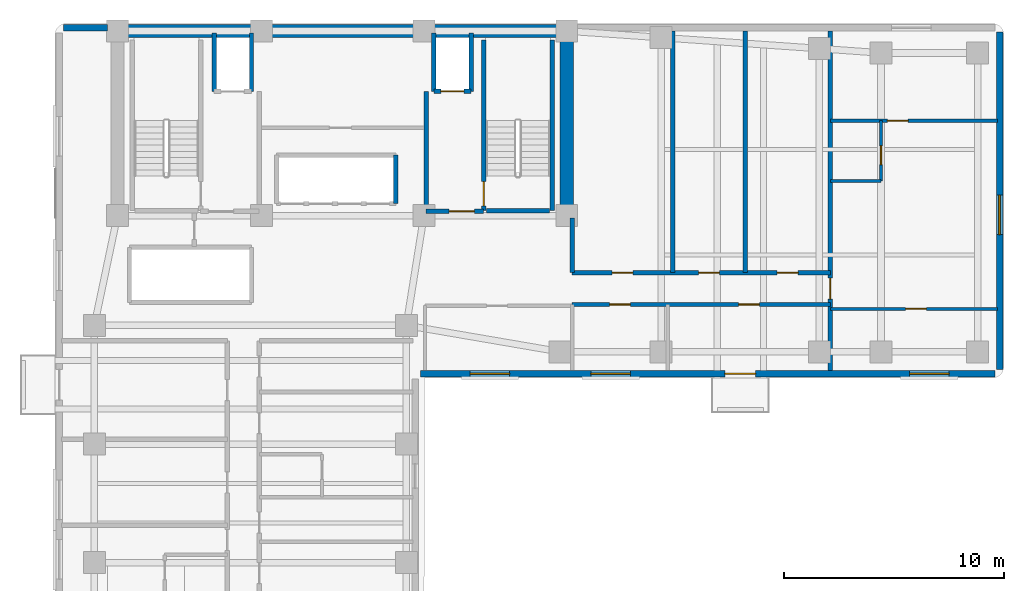
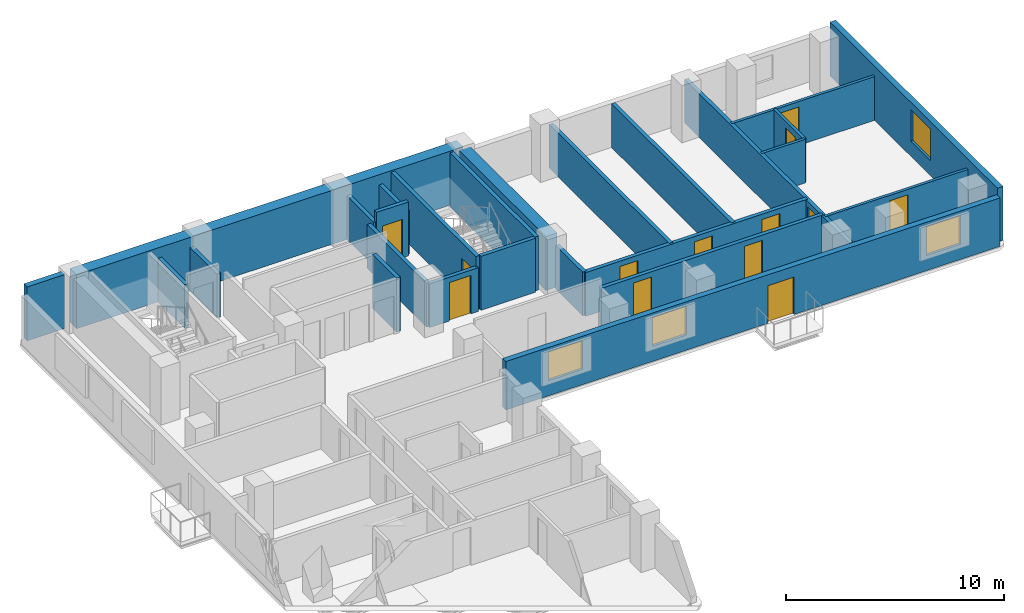
# One storey, part 4 of 7: 26 walls, 13 doors, 4 windows, 17 openings.
"""IFC4 building model written with IfcOpenShell, lengths in metres."""

from ifc_helpers import new_model, si_unit, direction, frame, frame_2d, origin, place, context, subcontext, project, spatial, rectangle, extrude, material, layer, layer_set, type_object, element, fill, save


model = new_model("IFC4")

# Units and contexts
model_context = context("Model", 3, precision=1e-05, world=origin(), true_north=direction((0.0, 1.0)))
body_context = subcontext(model_context, "Body", "Model", "MODEL_VIEW")
ifc_project = project(units=[si_unit("LENGTHUNIT", "METRE"), si_unit("AREAUNIT", "SQUARE_METRE"), si_unit("VOLUMEUNIT", "CUBIC_METRE"), si_unit("PLANEANGLEUNIT", "RADIAN"), si_unit("MASSUNIT", "GRAM", prefix="KILO")], contexts=[model_context])

# Site, building, storey
site_placement = place(None, origin())
site = spatial("IfcSite", under=ifc_project, at=site_placement, CompositionType="ELEMENT")
building_placement = place(site_placement, origin())
building = spatial("IfcBuilding", under=site, at=building_placement, Name="Kuzgunbayir Cultural Tower", CompositionType="ELEMENT")
storey_placement = place(building_placement, frame((0.0, 0.0, 145.800048828125)))
storey = spatial("IfcBuildingStorey", under=building, at=storey_placement, Name="L42", CompositionType="ELEMENT", Elevation=145.800048828125)

# Walls
ifc_material_1 = material(Name="Concrete C60/75", Category="concrete")
ifc_layer_1 = layer(ifc_material_1, 0.60009765625)
ifc_layer_set_1 = layer_set([ifc_layer_1], Name="Concrete C60/75")
wall_type_1 = type_object("IfcWallType", Name="WAL-CORE-600", PredefinedType="SHEAR", material=ifc_layer_set_1)
wall_1_placement = place(storey_placement, frame((6.449951171875, 42.199951171875, 0.0), z_axis=(0.0, 0.0, 1.0), x_axis=(1.0, 0.0, 0.0)))
element("IfcWall", 1, at=wall_1_placement, inside=storey, type_object=wall_type_1, Name="L42 T1 Core North Shear Wall", PredefinedType="SHEAR", context=body_context, shape_type="SweptSolid", body=[
    extrude(rectangle(XDim=20.449951171875, YDim=0.60009765625, at=frame_2d((10.22509765625, 0.0))), origin(), (0.0, 0.0, 1.0), 3.02001953125),
])
wall_2_placement = place(storey_placement, frame((26.89990234375, 33.800048828125, 0.0), z_axis=(0.0, 0.0, 1.0), x_axis=(0.0, 1.0, 0.0)))
element("IfcWall", 2, at=wall_2_placement, inside=storey, type_object=wall_type_1, Name="L42 T1 Core East Shear Wall", PredefinedType="SHEAR", context=body_context, shape_type="SweptSolid", body=[
    extrude(rectangle(XDim=7.949951171875, YDim=0.60009765625, at=frame_2d((3.97509765625, 0.0))), origin(), (0.0, 0.0, 1.0), 3.02001953125),
])
ifc_material_2 = material(Name="Anatolian Cream Limestone", Category="masonry")
ifc_layer_2 = layer(ifc_material_2, 0.300048828125)
ifc_layer_set_2 = layer_set([ifc_layer_2], Name="Anatolian Cream Limestone")
wall_type_2 = type_object("IfcWallType", Name="WAL-EXT-STONE-300", PredefinedType="STANDARD", material=ifc_layer_set_2)
wall_3_placement = place(storey_placement, frame((6.0, 42.35009765625, 0.0), z_axis=(0.0, 0.0, 1.0), x_axis=(-1.0, 0.0, 0.0)))
element("IfcWall", 3, at=wall_3_placement, inside=storey, type_object=wall_type_2, Name="L42 Core North-West Spandrel Link", PredefinedType="STANDARD", context=body_context, shape_type="SweptSolid", body=[
    extrude(rectangle(XDim=2.0, YDim=0.300048828125, at=frame_2d((1.0, 0.0))), origin(), (0.0, 0.0, 1.0), 3.02001953125),
])

# Wall, openings, door, windows
wall_4_placement = place(storey_placement, frame((20.25, 26.60009765625, 0.0), z_axis=(0.0, 0.0, 1.0), x_axis=(1.0, 0.0, 0.0)))
wall_4 = element("IfcWall", 4, at=wall_4_placement, inside=storey, type_object=wall_type_2, Name="L42 Wing B South Limestone Wall", PredefinedType="STANDARD", context=body_context, shape_type="SweptSolid", body=[
    extrude(rectangle(XDim=26.14990234375, YDim=0.300048828125, at=frame_2d((13.074951171875, 0.0))), origin(), (0.0, 0.0, 1.0), 2.7099609375),
])
opening_1_placement = place(wall_4_placement, frame((13.85009765625, 0.0, 0.0)))
opening_1 = element("IfcOpeningElement", 5, at=opening_1_placement, cuts=wall_4, Name="Opening BD-15", PredefinedType="OPENING", context=body_context, shape_type="SweptSolid", body=[
    extrude(rectangle(XDim=1.39990234375, YDim=2.10009765625, at=frame_2d((0.699951171875, 1.050048828125))), frame((0.0, 0.16015625, 0.0), z_axis=(0.0, -1.0, 0.0), x_axis=(1.0, 0.0, 0.0)), (0.0, 0.0, 1.0), 0.320068359375),
])
opening_2_placement = place(wall_4_placement, frame((2.25, 0.0, 0.85009765625)))
opening_2 = element("IfcOpeningElement", 6, at=opening_2_placement, cuts=wall_4, Name="Opening WH-18", PredefinedType="OPENING", context=body_context, shape_type="SweptSolid", body=[
    extrude(rectangle(XDim=1.800048828125, YDim=1.610107421875, at=frame_2d((0.89990234375, 0.80517578125))), frame((0.0, 0.16015625, 0.0), z_axis=(0.0, -1.0, 0.0), x_axis=(1.0, 0.0, 0.0)), (0.0, 0.0, 1.0), 0.320068359375),
])
opening_3_placement = place(wall_4_placement, frame((7.75, 0.0, 0.85009765625)))
opening_3 = element("IfcOpeningElement", 7, at=opening_3_placement, cuts=wall_4, Name="Opening WH-18", PredefinedType="OPENING", context=body_context, shape_type="SweptSolid", body=[
    extrude(rectangle(XDim=1.800048828125, YDim=1.610107421875, at=frame_2d((0.89990234375, 0.80517578125))), frame((0.0, 0.16015625, 0.0), z_axis=(0.0, -1.0, 0.0), x_axis=(1.0, 0.0, 0.0)), (0.0, 0.0, 1.0), 0.320068359375),
])
opening_4_placement = place(wall_4_placement, frame((22.25, 0.0, 0.85009765625)))
opening_4 = element("IfcOpeningElement", 8, at=opening_4_placement, cuts=wall_4, Name="Opening WH-18", PredefinedType="OPENING", context=body_context, shape_type="SweptSolid", body=[
    extrude(rectangle(XDim=1.800048828125, YDim=1.610107421875, at=frame_2d((0.89990234375, 0.80517578125))), frame((0.0, 0.16015625, 0.0), z_axis=(0.0, -1.0, 0.0), x_axis=(1.0, 0.0, 0.0)), (0.0, 0.0, 1.0), 0.320068359375),
])
ifc_material_3 = material(Name="Thermally Broken Glazed Aluminium", Category="aluminium")
door_type_1 = type_object("IfcDoorType", Name="DR-BALCONY-150", OperationType="SLIDING_TO_RIGHT", PredefinedType="DOOR", material=ifc_material_3)
door_1_placement = place(opening_1_placement, origin())
door_1 = element("IfcDoor", 9, at=door_1_placement, inside=storey, type_object=door_type_1, Name="L42 South Balcony Sliding Door BAL-L42-WB2", OperationType="SLIDING_TO_RIGHT", OverallHeight=2.10009765625, OverallWidth=1.39990234375, PredefinedType="DOOR", context=body_context, shape_type="SweptSolid", body=[
    extrude(rectangle(XDim=1.39990234375, YDim=2.10009765625, at=frame_2d((0.699951171875, 1.050048828125))), frame((0.0, 0.02490234375, 0.0), z_axis=(0.0, -1.0, 0.0), x_axis=(1.0, 0.0, 0.0)), (0.0, 0.0, 1.0), 0.050048828125),
])
fill(opening_1, door_1)
ifc_material_4 = material(Name="Solar-Control Triple Glazing", Category="glass")
window_type = type_object("IfcWindowType", Name="WIN-HOTEL-18", PartitioningType="SINGLE_PANEL", PredefinedType="WINDOW", material=ifc_material_4)
window_1_placement = place(opening_2_placement, origin())
window_1 = element("IfcWindow", 10, at=window_1_placement, inside=storey, type_object=window_type, Name="L42 WBS Facade Window 11", OverallHeight=1.610107421875, OverallWidth=1.800048828125, PartitioningType="SINGLE_PANEL", PredefinedType="WINDOW", context=body_context, shape_type="SweptSolid", body=[
    extrude(rectangle(XDim=1.800048828125, YDim=1.610107421875, at=frame_2d((0.89990234375, 0.80517578125))), frame((0.0, 0.030029296875, 0.0), z_axis=(0.0, -1.0, 0.0), x_axis=(1.0, 0.0, 0.0)), (0.0, 0.0, 1.0), 0.06005859375),
])
fill(opening_2, window_1)
window_2_placement = place(opening_3_placement, origin())
window_2 = element("IfcWindow", 11, at=window_2_placement, inside=storey, type_object=window_type, Name="L42 WBS Facade Window 12", OverallHeight=1.610107421875, OverallWidth=1.800048828125, PartitioningType="SINGLE_PANEL", PredefinedType="WINDOW", context=body_context, shape_type="SweptSolid", body=[
    extrude(rectangle(XDim=1.800048828125, YDim=1.610107421875, at=frame_2d((0.89990234375, 0.80517578125))), frame((0.0, 0.030029296875, 0.0), z_axis=(0.0, -1.0, 0.0), x_axis=(1.0, 0.0, 0.0)), (0.0, 0.0, 1.0), 0.06005859375),
])
fill(opening_3, window_2)
window_3_placement = place(opening_4_placement, origin())
window_3 = element("IfcWindow", 12, at=window_3_placement, inside=storey, type_object=window_type, Name="L42 WBS Facade Window 13", OverallHeight=1.610107421875, OverallWidth=1.800048828125, PartitioningType="SINGLE_PANEL", PredefinedType="WINDOW", context=body_context, shape_type="SweptSolid", body=[
    extrude(rectangle(XDim=1.800048828125, YDim=1.610107421875, at=frame_2d((0.89990234375, 0.80517578125))), frame((0.0, 0.030029296875, 0.0), z_axis=(0.0, -1.0, 0.0), x_axis=(1.0, 0.0, 0.0)), (0.0, 0.0, 1.0), 0.06005859375),
])
fill(opening_4, window_3)

# Wall, opening, window
wall_5_placement = place(storey_placement, frame((46.60009765625, 26.800048828125, 0.0), z_axis=(0.0, 0.0, 1.0), x_axis=(0.0, 1.0, 0.0)))
wall_5 = element("IfcWall", 13, at=wall_5_placement, inside=storey, type_object=wall_type_2, Name="L42 Wing B East Limestone Wall", PredefinedType="STANDARD", context=body_context, shape_type="SweptSolid", body=[
    extrude(rectangle(XDim=15.349853515625, YDim=0.300048828125, at=frame_2d((7.6748046875, 0.0))), origin(), (0.0, 0.0, 1.0), 3.02001953125),
])
opening_5_placement = place(wall_5_placement, frame((6.1298828125, 0.0, 0.85009765625)))
opening_5 = element("IfcOpeningElement", 14, at=opening_5_placement, cuts=wall_5, Name="Opening WH-18", PredefinedType="OPENING", context=body_context, shape_type="SweptSolid", body=[
    extrude(rectangle(XDim=1.800048828125, YDim=1.75, at=frame_2d((0.89990234375, 0.875))), frame((0.0, 0.16015625, 0.0), z_axis=(0.0, -1.0, 0.0), x_axis=(1.0, 0.0, 0.0)), (0.0, 0.0, 1.0), 0.320068359375),
])
window_4_placement = place(opening_5_placement, origin())
window_4 = element("IfcWindow", 15, at=window_4_placement, inside=storey, type_object=window_type, Name="L42 WBE Facade Window 4", OverallHeight=1.75, OverallWidth=1.800048828125, PartitioningType="SINGLE_PANEL", PredefinedType="WINDOW", context=body_context, shape_type="SweptSolid", body=[
    extrude(rectangle(XDim=1.800048828125, YDim=1.75, at=frame_2d((0.89990234375, 0.875))), frame((0.0, 0.030029296875, 0.0), z_axis=(0.0, -1.0, 0.0), x_axis=(1.0, 0.0, 0.0)), (0.0, 0.0, 1.0), 0.06005859375),
])
fill(opening_5, window_4)

# Wall, opening, door
ifc_material_5 = material(Name="Acoustic Double-Stud Drywall", Category="gypsum")
ifc_layer_3 = layer(ifc_material_5, 0.14990234375)
ifc_layer_set_3 = layer_set([ifc_layer_3], Name="Acoustic Double-Stud Drywall")
wall_type_3 = type_object("IfcWallType", Name="WAL-PART-ACOUSTIC-150", PredefinedType="PARTITIONING", material=ifc_layer_set_3)
wall_6_placement = place(storey_placement, frame((38.89990234375, 38.1201171875, 0.0), z_axis=(0.0, 0.0, 1.0), x_axis=(1.0, 0.0, 0.0)))
wall_6 = element("IfcWall", 16, at=wall_6_placement, inside=storey, type_object=wall_type_3, Name="L42 Corner Suite Bedroom Wall", PredefinedType="PARTITIONING", context=body_context, shape_type="SweptSolid", body=[
    extrude(rectangle(XDim=7.60009765625, YDim=0.14990234375, at=frame_2d((3.800048828125, 0.0))), origin(), (0.0, 0.0, 1.0), 2.449951171875),
])
opening_6_placement = place(wall_6_placement, frame((2.590087890625, 0.0, 0.0)))
opening_6 = element("IfcOpeningElement", 17, at=opening_6_placement, cuts=wall_6, Name="Opening DI-90", PredefinedType="OPENING", context=body_context, shape_type="SweptSolid", body=[
    extrude(rectangle(XDim=0.949951171875, YDim=2.14990234375, at=frame_2d((0.47509765625, 1.074951171875))), frame((0.0, 0.0849609375, 0.0), z_axis=(0.0, -1.0, 0.0), x_axis=(1.0, 0.0, 0.0)), (0.0, 0.0, 1.0), 0.169921875),
])
ifc_material_6 = material(Name="Veneered Oak Single Leaf", Category="wood")
door_type_2 = type_object("IfcDoorType", Name="DR-INT-90", OperationType="NOTDEFINED", PredefinedType="DOOR", material=ifc_material_6)
door_2_placement = place(opening_6_placement, origin())
door_2 = element("IfcDoor", 18, at=door_2_placement, inside=storey, type_object=door_type_2, Name="L42 Corner Bedroom Door", OperationType="SINGLE_SWING_RIGHT", OverallHeight=2.14990234375, OverallWidth=0.949951171875, PredefinedType="DOOR", context=body_context, shape_type="SweptSolid", body=[
    extrude(rectangle(XDim=0.949951171875, YDim=2.14990234375, at=frame_2d((0.47509765625, 1.074951171875))), frame((0.0, 0.02490234375, 0.0), z_axis=(0.0, -1.0, 0.0), x_axis=(1.0, 0.0, 0.0)), (0.0, 0.0, 1.0), 0.050048828125),
])
fill(opening_6, door_2)

# Wall
ifc_material_7 = material(Name="Aerated Concrete Blockwork", Category="masonry")
ifc_layer_4 = layer(ifc_material_7, 0.199951171875)
ifc_layer_set_4 = layer_set([ifc_layer_4], Name="Aerated Concrete Blockwork")
wall_type_4 = type_object("IfcWallType", Name="WAL-PART-FIRE-200", PredefinedType="PARTITIONING", material=ifc_layer_set_4)
wall_7_placement = place(storey_placement, frame((20.5, 34.0, 0.0), z_axis=(0.0, 0.0, 1.0), x_axis=(0.0, 1.0, 0.0)))
element("IfcWall", 19, at=wall_7_placement, inside=storey, type_object=wall_type_4, Name="L42 FFL-2 Lobby West Fire Wall", PredefinedType="PARTITIONING", context=body_context, shape_type="SweptSolid", body=[
    extrude(rectangle(XDim=5.449951171875, YDim=0.199951171875, at=frame_2d((2.72509765625, 0.0))), origin(), (0.0, 0.0, 1.0), 2.449951171875),
])

# Wall, opening, door
wall_8_placement = place(storey_placement, frame((20.5, 34.0, 0.0), z_axis=(0.0, 0.0, 1.0), x_axis=(1.0, 0.0, 0.0)))
wall_8 = element("IfcWall", 20, at=wall_8_placement, inside=storey, type_object=wall_type_4, Name="L42 FFL-2 Lobby South Fire Wall", PredefinedType="PARTITIONING", context=body_context, shape_type="SweptSolid", body=[
    extrude(rectangle(XDim=2.60009765625, YDim=0.199951171875, at=frame_2d((1.300048828125, 0.0))), origin(), (0.0, 0.0, 1.0), 2.449951171875),
])
opening_7_placement = place(wall_8_placement, frame((1.050048828125, 0.0, 0.0)))
opening_7 = element("IfcOpeningElement", 21, at=opening_7_placement, cuts=wall_8, Name="Opening DR-FFL-90", PredefinedType="OPENING", context=body_context, shape_type="SweptSolid", body=[
    extrude(rectangle(XDim=1.14990234375, YDim=2.14990234375, at=frame_2d((0.574951171875, 1.074951171875))), frame((0.0, 0.10986328125, 0.0), z_axis=(0.0, -1.0, 0.0), x_axis=(1.0, 0.0, 0.0)), (0.0, 0.0, 1.0), 0.219970703125),
])
ifc_material_8 = material(Name="Steel S355J2", Category="steel")
door_type_3 = type_object("IfcDoorType", Name="DR-FFL-90", OperationType="NOTDEFINED", PredefinedType="DOOR", material=ifc_material_8)
door_3_placement = place(opening_7_placement, origin())
door_3 = element("IfcDoor", 22, at=door_3_placement, inside=storey, type_object=door_type_3, Name="L42 Firefighting Lobby 2 Door", OperationType="SINGLE_SWING_RIGHT", OverallHeight=2.14990234375, OverallWidth=1.14990234375, PredefinedType="DOOR", context=body_context, shape_type="SweptSolid", body=[
    extrude(rectangle(XDim=1.14990234375, YDim=2.14990234375, at=frame_2d((0.574951171875, 1.074951171875))), frame((0.0, 0.02490234375, 0.0), z_axis=(0.0, -1.0, 0.0), x_axis=(1.0, 0.0, 0.0)), (0.0, 0.0, 1.0), 0.050048828125),
])
fill(opening_7, door_3)

# Wall, openings, doors
wall_9_placement = place(storey_placement, frame((27.14990234375, 29.75, 0.0), z_axis=(0.0, 0.0, 1.0), x_axis=(1.0, 0.0, 0.0)))
wall_9 = element("IfcWall", 23, at=wall_9_placement, inside=storey, type_object=wall_type_4, Name="L42 Wing B Hotel Corridor South Wall", PredefinedType="PARTITIONING", context=body_context, shape_type="SweptSolid", body=[
    extrude(rectangle(XDim=11.75, YDim=0.199951171875, at=frame_2d((5.875, 0.0))), origin(), (0.0, 0.0, 1.0), 2.449951171875),
])
opening_8_placement = place(wall_9_placement, frame((1.699951171875, 0.0, 0.0)))
opening_8 = element("IfcOpeningElement", 24, at=opening_8_placement, cuts=wall_9, Name="Opening DI-90", PredefinedType="OPENING", context=body_context, shape_type="SweptSolid", body=[
    extrude(rectangle(XDim=0.949951171875, YDim=2.14990234375, at=frame_2d((0.47509765625, 1.074951171875))), frame((0.0, 0.10986328125, 0.0), z_axis=(0.0, -1.0, 0.0), x_axis=(1.0, 0.0, 0.0)), (0.0, 0.0, 1.0), 0.219970703125),
])
opening_9_placement = place(wall_9_placement, frame((7.570068359375, 0.0, 0.0)))
opening_9 = element("IfcOpeningElement", 25, at=opening_9_placement, cuts=wall_9, Name="Opening DI-90", PredefinedType="OPENING", context=body_context, shape_type="SweptSolid", body=[
    extrude(rectangle(XDim=0.949951171875, YDim=2.14990234375, at=frame_2d((0.47509765625, 1.074951171875))), frame((0.0, 0.10986328125, 0.0), z_axis=(0.0, -1.0, 0.0), x_axis=(1.0, 0.0, 0.0)), (0.0, 0.0, 1.0), 0.219970703125),
])
door_4_placement = place(opening_8_placement, origin())
door_4 = element("IfcDoor", 26, at=door_4_placement, inside=storey, type_object=door_type_2, Name="L42 Curatorial Office B1 Door", OperationType="SINGLE_SWING_LEFT", OverallHeight=2.14990234375, OverallWidth=0.949951171875, PredefinedType="DOOR", context=body_context, shape_type="SweptSolid", body=[
    extrude(rectangle(XDim=0.949951171875, YDim=2.14990234375, at=frame_2d((0.47509765625, 1.074951171875))), frame((0.0, 0.02490234375, 0.0), z_axis=(0.0, -1.0, 0.0), x_axis=(1.0, 0.0, 0.0)), (0.0, 0.0, 1.0), 0.050048828125),
])
fill(opening_8, door_4)
door_5_placement = place(opening_9_placement, origin())
door_5 = element("IfcDoor", 27, at=door_5_placement, inside=storey, type_object=door_type_2, Name="L42 Curatorial Office B2 Door", OperationType="SINGLE_SWING_RIGHT", OverallHeight=2.14990234375, OverallWidth=0.949951171875, PredefinedType="DOOR", context=body_context, shape_type="SweptSolid", body=[
    extrude(rectangle(XDim=0.949951171875, YDim=2.14990234375, at=frame_2d((0.47509765625, 1.074951171875))), frame((0.0, 0.02490234375, 0.0), z_axis=(0.0, -1.0, 0.0), x_axis=(1.0, 0.0, 0.0)), (0.0, 0.0, 1.0), 0.050048828125),
])
fill(opening_9, door_5)

wall_10_placement = place(storey_placement, frame((27.14990234375, 31.199951171875, 0.0), z_axis=(0.0, 0.0, 1.0), x_axis=(1.0, 0.0, 0.0)))
wall_10 = element("IfcWall", 28, at=wall_10_placement, inside=storey, type_object=wall_type_4, Name="L42 Wing B Hotel Corridor North Wall", PredefinedType="PARTITIONING", context=body_context, shape_type="SweptSolid", body=[
    extrude(rectangle(XDim=11.75, YDim=0.199951171875, at=frame_2d((5.875, 0.0))), origin(), (0.0, 0.0, 1.0), 2.449951171875),
])
opening_10_placement = place(wall_10_placement, frame((1.81005859375, 0.0, 0.0)))
opening_10 = element("IfcOpeningElement", 29, at=opening_10_placement, cuts=wall_10, Name="Opening DI-90", PredefinedType="OPENING", context=body_context, shape_type="SweptSolid", body=[
    extrude(rectangle(XDim=0.949951171875, YDim=2.14990234375, at=frame_2d((0.47509765625, 1.074951171875))), frame((0.0, 0.10986328125, 0.0), z_axis=(0.0, -1.0, 0.0), x_axis=(1.0, 0.0, 0.0)), (0.0, 0.0, 1.0), 0.219970703125),
])
opening_11_placement = place(wall_10_placement, frame((5.75, 0.0, 0.0)))
opening_11 = element("IfcOpeningElement", 30, at=opening_11_placement, cuts=wall_10, Name="Opening DI-90", PredefinedType="OPENING", context=body_context, shape_type="SweptSolid", body=[
    extrude(rectangle(XDim=0.949951171875, YDim=2.14990234375, at=frame_2d((0.47509765625, 1.074951171875))), frame((0.0, 0.10986328125, 0.0), z_axis=(0.0, -1.0, 0.0), x_axis=(1.0, 0.0, 0.0)), (0.0, 0.0, 1.0), 0.219970703125),
])
opening_12_placement = place(wall_10_placement, frame((9.330078125, 0.0, 0.0)))
opening_12 = element("IfcOpeningElement", 31, at=opening_12_placement, cuts=wall_10, Name="Opening DI-90", PredefinedType="OPENING", context=body_context, shape_type="SweptSolid", body=[
    extrude(rectangle(XDim=0.949951171875, YDim=2.14990234375, at=frame_2d((0.47509765625, 1.074951171875))), frame((0.0, 0.10986328125, 0.0), z_axis=(0.0, -1.0, 0.0), x_axis=(1.0, 0.0, 0.0)), (0.0, 0.0, 1.0), 0.219970703125),
])
door_6_placement = place(opening_10_placement, origin())
door_6 = element("IfcDoor", 32, at=door_6_placement, inside=storey, type_object=door_type_2, Name="L42 North Curatorial Office 1 Door", OperationType="SINGLE_SWING_LEFT", OverallHeight=2.14990234375, OverallWidth=0.949951171875, PredefinedType="DOOR", context=body_context, shape_type="SweptSolid", body=[
    extrude(rectangle(XDim=0.949951171875, YDim=2.14990234375, at=frame_2d((0.47509765625, 1.074951171875))), frame((0.0, 0.02490234375, 0.0), z_axis=(0.0, -1.0, 0.0), x_axis=(1.0, 0.0, 0.0)), (0.0, 0.0, 1.0), 0.050048828125),
])
fill(opening_10, door_6)
door_7_placement = place(opening_11_placement, origin())
door_7 = element("IfcDoor", 33, at=door_7_placement, inside=storey, type_object=door_type_2, Name="L42 North Art Publication Salon 2 Door", OperationType="SINGLE_SWING_RIGHT", OverallHeight=2.14990234375, OverallWidth=0.949951171875, PredefinedType="DOOR", context=body_context, shape_type="SweptSolid", body=[
    extrude(rectangle(XDim=0.949951171875, YDim=2.14990234375, at=frame_2d((0.47509765625, 1.074951171875))), frame((0.0, 0.02490234375, 0.0), z_axis=(0.0, -1.0, 0.0), x_axis=(1.0, 0.0, 0.0)), (0.0, 0.0, 1.0), 0.050048828125),
])
fill(opening_11, door_7)
door_8_placement = place(opening_12_placement, origin())
door_8 = element("IfcDoor", 34, at=door_8_placement, inside=storey, type_object=door_type_2, Name="L42 North Culinary Tasting Pantry 3 Door", OperationType="SINGLE_SWING_LEFT", OverallHeight=2.14990234375, OverallWidth=0.949951171875, PredefinedType="DOOR", context=body_context, shape_type="SweptSolid", body=[
    extrude(rectangle(XDim=0.949951171875, YDim=2.14990234375, at=frame_2d((0.47509765625, 1.074951171875))), frame((0.0, 0.02490234375, 0.0), z_axis=(0.0, -1.0, 0.0), x_axis=(1.0, 0.0, 0.0)), (0.0, 0.0, 1.0), 0.050048828125),
])
fill(opening_12, door_8)

# Wall
wall_11_placement = place(storey_placement, frame((27.14990234375, 31.199951171875, 0.0), z_axis=(0.0, 0.0, 1.0), x_axis=(0.0, 1.0, 0.0)))
element("IfcWall", 35, at=wall_11_placement, inside=storey, type_object=wall_type_4, Name="L42 Wing B North Core Closure Wall", PredefinedType="PARTITIONING", context=body_context, shape_type="SweptSolid", body=[
    extrude(rectangle(XDim=2.47998046875, YDim=0.199951171875, at=frame_2d((1.239990234375, 0.0))), origin(), (0.0, 0.0, 1.0), 2.449951171875),
])

# Wall, opening, door
wall_12_placement = place(storey_placement, frame((38.89990234375, 26.75, 0.0), z_axis=(0.0, 0.0, 1.0), x_axis=(0.0, 1.0, 0.0)))
wall_12 = element("IfcWall", 36, at=wall_12_placement, inside=storey, type_object=wall_type_4, Name="L42 Wing B East Suite Wall", PredefinedType="PARTITIONING", context=body_context, shape_type="SweptSolid", body=[
    extrude(rectangle(XDim=15.449951171875, YDim=0.199951171875, at=frame_2d((7.72509765625, 0.0))), origin(), (0.0, 0.0, 1.0), 2.449951171875),
])
opening_13_placement = place(wall_12_placement, frame((3.25, 0.0, 0.0)))
opening_13 = element("IfcOpeningElement", 37, at=opening_13_placement, cuts=wall_12, Name="Opening DR-APT-60", PredefinedType="OPENING", context=body_context, shape_type="SweptSolid", body=[
    extrude(rectangle(XDim=0.949951171875, YDim=2.14990234375, at=frame_2d((0.47509765625, 1.074951171875))), frame((0.0, 0.10986328125, 0.0), z_axis=(0.0, -1.0, 0.0), x_axis=(1.0, 0.0, 0.0)), (0.0, 0.0, 1.0), 0.219970703125),
])
ifc_material_9 = material(Name="Acoustic Fire Timber Leaf", Category="wood")
door_type_4 = type_object("IfcDoorType", Name="DR-APT-60", OperationType="NOTDEFINED", PredefinedType="DOOR", material=ifc_material_9)
door_9_placement = place(opening_13_placement, origin())
door_9 = element("IfcDoor", 38, at=door_9_placement, inside=storey, type_object=door_type_4, Name="L42 Corner Suite Entrance", OperationType="SINGLE_SWING_LEFT", OverallHeight=2.14990234375, OverallWidth=0.949951171875, PredefinedType="DOOR", context=body_context, shape_type="SweptSolid", body=[
    extrude(rectangle(XDim=0.949951171875, YDim=2.14990234375, at=frame_2d((0.47509765625, 1.074951171875))), frame((0.0, 0.02490234375, 0.0), z_axis=(0.0, -1.0, 0.0), x_axis=(1.0, 0.0, 0.0)), (0.0, 0.0, 1.0), 0.050048828125),
])
fill(opening_13, door_9)

# Walls
for number, where, z_axis, x_axis, name in (
    (39, (31.72998046875, 31.199951171875, 0.0), (0.0, 0.0, 1.0), (0.0, 1.0, 0.0), "L42 Wing B North Party Wall 1"),
    (40, (35.02001953125, 31.199951171875, 0.0), (0.0, 0.0, 1.0), (0.0, 1.0, 0.0), "L42 Wing B North Party Wall 2"),
):
    element("IfcWall", number, at=place(storey_placement, frame(where, z_axis=z_axis, x_axis=x_axis)), inside=storey, type_object=wall_type_4, Name=name, PredefinedType="PARTITIONING", context=body_context, shape_type="SweptSolid", body=[
        extrude(rectangle(XDim=11.0, YDim=0.199951171875, at=frame_2d((5.5, 0.0))), origin(), (0.0, 0.0, 1.0), 2.449951171875),
    ])

# Wall, opening, door
ifc_material_10 = material(Name="Moisture-Resistant Tile Partition", Category="gypsum")
ifc_layer_5 = layer(ifc_material_10, 0.14990234375)
ifc_layer_set_5 = layer_set([ifc_layer_5], Name="Moisture-Resistant Tile Partition")
wall_type_5 = type_object("IfcWallType", Name="WAL-PART-WET-150", PredefinedType="PARTITIONING", material=ifc_layer_set_5)
wall_13_placement = place(storey_placement, frame((38.89990234375, 29.550048828125, 0.0), z_axis=(0.0, 0.0, 1.0), x_axis=(1.0, 0.0, 0.0)))
wall_13 = element("IfcWall", 41, at=wall_13_placement, inside=storey, type_object=wall_type_5, Name="L42 Corner Suite Kitchen Wall", PredefinedType="PARTITIONING", context=body_context, shape_type="SweptSolid", body=[
    extrude(rectangle(XDim=7.60009765625, YDim=0.14990234375, at=frame_2d((3.800048828125, 0.0))), origin(), (0.0, 0.0, 1.0), 2.449951171875),
])
opening_14_placement = place(wall_13_placement, frame((3.419921875, 0.0, 0.0)))
opening_14 = element("IfcOpeningElement", 42, at=opening_14_placement, cuts=wall_13, Name="Opening DI-90", PredefinedType="OPENING", context=body_context, shape_type="SweptSolid", body=[
    extrude(rectangle(XDim=0.949951171875, YDim=2.14990234375, at=frame_2d((0.47509765625, 1.074951171875))), frame((0.0, 0.0849609375, 0.0), z_axis=(0.0, -1.0, 0.0), x_axis=(1.0, 0.0, 0.0)), (0.0, 0.0, 1.0), 0.169921875),
])
door_10_placement = place(opening_14_placement, origin())
door_10 = element("IfcDoor", 43, at=door_10_placement, inside=storey, type_object=door_type_2, Name="L42 Corner Suite Kitchen Door", OperationType="SINGLE_SWING_RIGHT", OverallHeight=2.14990234375, OverallWidth=0.949951171875, PredefinedType="DOOR", context=body_context, shape_type="SweptSolid", body=[
    extrude(rectangle(XDim=0.949951171875, YDim=2.14990234375, at=frame_2d((0.47509765625, 1.074951171875))), frame((0.0, 0.02490234375, 0.0), z_axis=(0.0, -1.0, 0.0), x_axis=(1.0, 0.0, 0.0)), (0.0, 0.0, 1.0), 0.050048828125),
])
fill(opening_14, door_10)

# Wall
wall_14_placement = place(storey_placement, frame((38.89990234375, 35.3701171875, 0.0), z_axis=(0.0, 0.0, 1.0), x_axis=(1.0, 0.0, 0.0)))
element("IfcWall", 44, at=wall_14_placement, inside=storey, type_object=wall_type_5, Name="L42 Corner Suite Bath South Wall", PredefinedType="PARTITIONING", context=body_context, shape_type="SweptSolid", body=[
    extrude(rectangle(XDim=2.300048828125, YDim=0.14990234375, at=frame_2d((1.14990234375, 0.0))), origin(), (0.0, 0.0, 1.0), 2.449951171875),
])

# Wall, opening, door
wall_15_placement = place(storey_placement, frame((41.199951171875, 35.3701171875, 0.0), z_axis=(0.0, 0.0, 1.0), x_axis=(0.0, 1.0, 0.0)))
wall_15 = element("IfcWall", 45, at=wall_15_placement, inside=storey, type_object=wall_type_5, Name="L42 Corner Suite Bath East Wall", PredefinedType="PARTITIONING", context=body_context, shape_type="SweptSolid", body=[
    extrude(rectangle(XDim=2.75, YDim=0.14990234375, at=frame_2d((1.375, 0.0))), origin(), (0.0, 0.0, 1.0), 2.449951171875),
])
opening_15_placement = place(wall_15_placement, frame((0.75, 0.0, 0.0)))
opening_15 = element("IfcOpeningElement", 46, at=opening_15_placement, cuts=wall_15, Name="Opening DW-85", PredefinedType="OPENING", context=body_context, shape_type="SweptSolid", body=[
    extrude(rectangle(XDim=0.85009765625, YDim=2.10009765625, at=frame_2d((0.425048828125, 1.050048828125))), frame((0.0, 0.0849609375, 0.0), z_axis=(0.0, -1.0, 0.0), x_axis=(1.0, 0.0, 0.0)), (0.0, 0.0, 1.0), 0.169921875),
])
ifc_material_11 = material(Name="Laminate Moisture-Resistant Leaf", Category="wood")
door_type_5 = type_object("IfcDoorType", Name="DR-WET-85", OperationType="NOTDEFINED", PredefinedType="DOOR", material=ifc_material_11)
door_11_placement = place(opening_15_placement, origin())
door_11 = element("IfcDoor", 47, at=door_11_placement, inside=storey, type_object=door_type_5, Name="L42 Corner Suite Bathroom Door", OperationType="SINGLE_SWING_LEFT", OverallHeight=2.10009765625, OverallWidth=0.85009765625, PredefinedType="DOOR", context=body_context, shape_type="SweptSolid", body=[
    extrude(rectangle(XDim=0.85009765625, YDim=2.10009765625, at=frame_2d((0.425048828125, 1.050048828125))), frame((0.0, 0.02490234375, 0.0), z_axis=(0.0, -1.0, 0.0), x_axis=(1.0, 0.0, 0.0)), (0.0, 0.0, 1.0), 0.050048828125),
])
fill(opening_15, door_11)

ifc_material_12 = material(Name="Concrete C40/50", Category="concrete")
ifc_layer_6 = layer(ifc_material_12, 0.199951171875)
ifc_layer_set_6 = layer_set([ifc_layer_6], Name="Concrete C40/50")
wall_type_6 = type_object("IfcWallType", Name="WAL-SHAFT-200", PredefinedType="MOVABLE", material=ifc_layer_set_6)
wall_16_placement = place(storey_placement, frame((20.85009765625, 39.449951171875, 0.0), z_axis=(0.0, 0.0, 1.0), x_axis=(1.0, 0.0, 0.0)))
wall_16 = element("IfcWall", 48, at=wall_16_placement, inside=storey, type_object=wall_type_6, Name="L42 FFL-2 Lift Front Wall", PredefinedType="MOVABLE", context=body_context, shape_type="SweptSolid", body=[
    extrude(rectangle(XDim=1.699951171875, YDim=0.199951171875, at=frame_2d((0.85009765625, 0.0))), origin(), (0.0, 0.0, 1.0), 3.02001953125),
])
opening_16_placement = place(wall_16_placement, frame((0.320068359375, 0.0, 0.0)))
opening_16 = element("IfcOpeningElement", 49, at=opening_16_placement, cuts=wall_16, Name="Opening LD", PredefinedType="OPENING", context=body_context, shape_type="SweptSolid", body=[
    extrude(rectangle(XDim=1.050048828125, YDim=2.14990234375, at=frame_2d((0.52490234375, 1.074951171875))), frame((0.0, 0.10986328125, 0.0), z_axis=(0.0, -1.0, 0.0), x_axis=(1.0, 0.0, 0.0)), (0.0, 0.0, 1.0), 0.219970703125),
])
ifc_material_13 = material(Name="Brushed Stainless Steel", Category="steel")
door_type_6 = type_object("IfcDoorType", Name="DR-LIFT-LANDING", OperationType="SLIDING_TO_LEFT", PredefinedType="DOOR", material=ifc_material_13)
door_12_placement = place(opening_16_placement, origin())
door_12 = element("IfcDoor", 50, at=door_12_placement, inside=storey, type_object=door_type_6, Name="L42 Lift FFL-2 Landing Door", OperationType="SLIDING_TO_LEFT", OverallHeight=2.14990234375, OverallWidth=1.050048828125, PredefinedType="DOOR", context=body_context, shape_type="SweptSolid", body=[
    extrude(rectangle(XDim=1.050048828125, YDim=2.14990234375, at=frame_2d((0.52490234375, 1.074951171875))), frame((0.0, 0.02490234375, 0.0), z_axis=(0.0, -1.0, 0.0), x_axis=(1.0, 0.0, 0.0)), (0.0, 0.0, 1.0), 0.050048828125),
])
fill(opening_16, door_12)

# Walls
for number, where, z_axis, x_axis, name in (
    (51, (10.85009765625, 39.449951171875, 0.0), (0.0, 0.0, 1.0), (0.0, 1.0, 0.0), "L42 FFL-1 Shaft West Wall"),
    (52, (12.550048828125, 39.449951171875, 0.0), (0.0, 0.0, 1.0), (0.0, 1.0, 0.0), "L42 FFL-1 Shaft East Wall"),
    (53, (20.85009765625, 39.449951171875, 0.0), (0.0, 0.0, 1.0), (0.0, 1.0, 0.0), "L42 FFL-2 Shaft West Wall"),
    (54, (22.550048828125, 39.449951171875, 0.0), (0.0, 0.0, 1.0), (0.0, 1.0, 0.0), "L42 FFL-2 Shaft East Wall"),
):
    element("IfcWall", number, at=place(storey_placement, frame(where, z_axis=z_axis, x_axis=x_axis)), inside=storey, type_object=wall_type_6, Name=name, PredefinedType="MOVABLE", context=body_context, shape_type="SweptSolid", body=[
        extrude(rectangle(XDim=2.650146484375, YDim=0.199951171875, at=frame_2d((1.3251953125, 0.0))), origin(), (0.0, 0.0, 1.0), 2.449951171875),
    ])
wall_17_placement = place(storey_placement, frame((19.1201171875, 34.35009765625, 0.0), z_axis=(0.0, 0.0, 1.0), x_axis=(0.0, 1.0, 0.0)))
element("IfcWall", 55, at=wall_17_placement, inside=storey, type_object=wall_type_6, Name="L42 Mid-Rise Lift Shaft East Wall", PredefinedType="MOVABLE", context=body_context, shape_type="SweptSolid", body=[
    extrude(rectangle(XDim=2.199951171875, YDim=0.199951171875, at=frame_2d((1.10009765625, 0.0))), origin(), (0.0, 0.0, 1.0), 3.02001953125),
])

# Wall, opening, door
ifc_layer_7 = layer(ifc_material_12, 0.199951171875)
ifc_layer_set_7 = layer_set([ifc_layer_7], Name="Concrete C40/50")
wall_type_7 = type_object("IfcWallType", Name="WAL-STAIR-RC-200", PredefinedType="SHEAR", material=ifc_layer_set_7)
wall_18_placement = place(storey_placement, frame((23.1201171875, 34.02001953125, 0.0), z_axis=(0.0, 0.0, 1.0), x_axis=(0.0, 1.0, 0.0)))
wall_18 = element("IfcWall", 56, at=wall_18_placement, inside=storey, type_object=wall_type_7, Name="L42 Stair ST-2 West Structural Wall", PredefinedType="SHEAR", context=body_context, shape_type="SweptSolid", body=[
    extrude(rectangle(XDim=7.780029296875, YDim=0.199951171875, at=frame_2d((3.89013671875, 0.0))), origin(), (0.0, 0.0, 1.0), 3.02001953125),
])
opening_17_placement = place(wall_18_placement, frame((0.219970703125, 0.0, 0.0)))
opening_17 = element("IfcOpeningElement", 57, at=opening_17_placement, cuts=wall_18, Name="Opening DR-STAIR-90", PredefinedType="OPENING", context=body_context, shape_type="SweptSolid", body=[
    extrude(rectangle(XDim=1.10009765625, YDim=2.14990234375, at=frame_2d((0.550048828125, 1.074951171875))), frame((0.0, 0.10986328125, 0.0), z_axis=(0.0, -1.0, 0.0), x_axis=(1.0, 0.0, 0.0)), (0.0, 0.0, 1.0), 0.219970703125),
])
door_type_7 = type_object("IfcDoorType", Name="DR-STAIR-90", OperationType="NOTDEFINED", PredefinedType="DOOR", material=ifc_material_8)
door_13_placement = place(opening_17_placement, origin())
door_13 = element("IfcDoor", 58, at=door_13_placement, inside=storey, type_object=door_type_7, Name="L42 Stair ST-2 Fire Door", OperationType="SINGLE_SWING_RIGHT", OverallHeight=2.14990234375, OverallWidth=1.10009765625, PredefinedType="DOOR", context=body_context, shape_type="SweptSolid", body=[
    extrude(rectangle(XDim=1.10009765625, YDim=2.14990234375, at=frame_2d((0.550048828125, 1.074951171875))), frame((0.0, 0.02490234375, 0.0), z_axis=(0.0, -1.0, 0.0), x_axis=(1.0, 0.0, 0.0)), (0.0, 0.0, 1.0), 0.050048828125),
])
fill(opening_17, door_13)

# Walls
wall_19_placement = place(storey_placement, frame((26.239990234375, 34.02001953125, 0.0), z_axis=(0.0, 0.0, 1.0), x_axis=(0.0, 1.0, 0.0)))
element("IfcWall", 59, at=wall_19_placement, inside=storey, type_object=wall_type_7, Name="L42 Stair ST-2 East Structural Wall", PredefinedType="SHEAR", context=body_context, shape_type="SweptSolid", body=[
    extrude(rectangle(XDim=7.780029296875, YDim=0.199951171875, at=frame_2d((3.89013671875, 0.0))), origin(), (0.0, 0.0, 1.0), 3.02001953125),
])
wall_20_placement = place(storey_placement, frame((23.239990234375, 34.02001953125, 0.0), z_axis=(0.0, 0.0, 1.0), x_axis=(1.0, 0.0, 0.0)))
element("IfcWall", 60, at=wall_20_placement, inside=storey, type_object=wall_type_7, Name="L42 Stair ST-2 South Structural Wall", PredefinedType="SHEAR", context=body_context, shape_type="SweptSolid", body=[
    extrude(rectangle(XDim=2.880126953125, YDim=0.199951171875, at=frame_2d((1.43994140625, 0.0))), origin(), (0.0, 0.0, 1.0), 3.02001953125),
])

save(model, "model.ifc")
